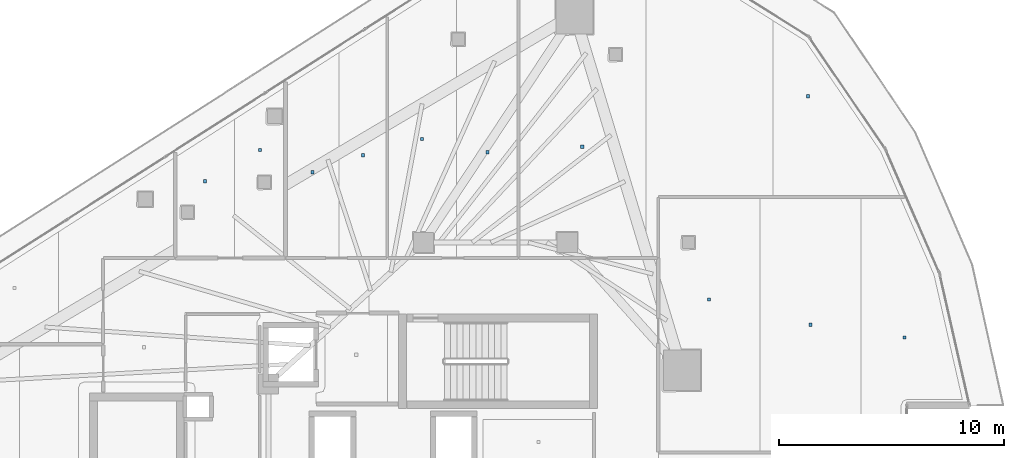
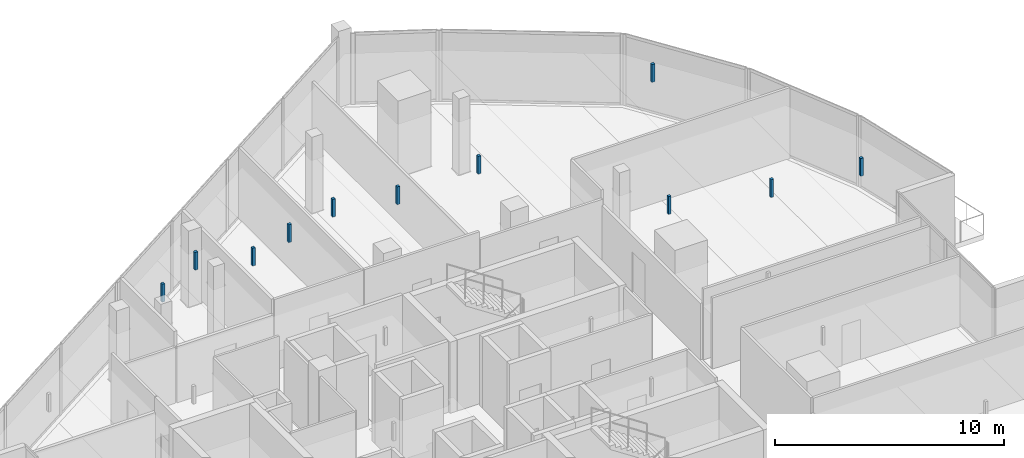
# One storey, part 30 of 36: 11 discrete accessories.
"""IFC4 building model written with IfcOpenShell, lengths in metres."""

import ifcopenshell
import ifcopenshell.guid

model = None  # the IFC model being written
_history = None  # IfcOwnerHistory: only IFC2X3 demands one
_inside = {}  # id of a spatial element -> (the spatial element, [elements in it])
_under = {}  # id of a project, library or spatial element -> (it, [spatial elements below it])
_declared = {}  # id of a project -> (the project, [libraries it declares])
_typed = {}  # id of a type object -> (the type object, [elements of that type])
_made_of = {}  # id of a material, layer set ... -> (it, [elements and type objects made of it])


def new_model(schema):
    """Start an empty IFC model of exactly this schema.

    Asked for "IFC4X3", IfcOpenShell would pick the latest addendum, in which some entities
    have other attributes; the version numbers below select the first issue.
    IFC2X3 requires an IfcOwnerHistory on every rooted entity: one is made here for all.
    """
    global model, _history
    if schema == "IFC4X3":
        model = ifcopenshell.file(schema_version=(4, 3, 0, 0))
    else:
        model = ifcopenshell.file(schema=schema)
    _inside.clear()
    _under.clear()
    _declared.clear()
    _typed.clear()
    _made_of.clear()
    _history = None
    if model.schema == "IFC2X3":
        org = make("IfcOrganization", Name="unknown")
        user = make(
            "IfcPersonAndOrganization",
            ThePerson=make("IfcPerson", FamilyName="unknown"),
            TheOrganization=org,
        )
        app = make(
            "IfcApplication",
            ApplicationDeveloper=org,
            Version="unknown",
            ApplicationFullName="unknown",
            ApplicationIdentifier="unknown",
        )
        _history = make(
            "IfcOwnerHistory",
            OwningUser=user,
            OwningApplication=app,
            ChangeAction="ADDED",
            CreationDate=0,
        )
    return model


def make(cls, **values):
    """One entity of the class cls with the attributes given. An attribute that is None is left unset."""
    return model.create_entity(
        cls, **{name: value for name, value in values.items() if value is not None}
    )


def rooted(cls, **values):
    """An entity with a GlobalId (a new one), such as an element, a storey or a relation."""
    return make(cls, GlobalId=ifcopenshell.guid.new(), OwnerHistory=_history, **values)


def si_unit(unit_type, name, prefix=None):
    """IfcSIUnit, for example si_unit("LENGTHUNIT", "METRE", prefix="MILLI")."""
    return make("IfcSIUnit", UnitType=unit_type, Prefix=prefix, Name=name)


def assignment(units):
    """IfcUnitAssignment: the units of a project."""
    return None if units is None else make("IfcUnitAssignment", Units=units)


def point(xyz):
    """IfcCartesianPoint."""
    return None if xyz is None else make("IfcCartesianPoint", Coordinates=xyz)


def direction(xyz):
    """IfcDirection."""
    return None if xyz is None else make("IfcDirection", DirectionRatios=xyz)


def frame(location, z_axis=None, x_axis=None):
    """IfcAxis2Placement3D, a coordinate frame: its origin and axes. An axis left out is left unset."""
    return make(
        "IfcAxis2Placement3D",
        Location=point(location),
        Axis=direction(z_axis),
        RefDirection=direction(x_axis),
    )


def frame_2d(location, x_axis=None):
    """IfcAxis2Placement2D, a coordinate frame in the plane: its origin and x axis."""
    return make(
        "IfcAxis2Placement2D", Location=point(location), RefDirection=direction(x_axis)
    )


def origin():
    """The frame at (0, 0, 0) with its axes left unset."""
    return frame((0.0, 0.0, 0.0))


def origin_2d():
    """The frame at (0, 0) in the plane with its x axis left unset."""
    return frame_2d((0.0, 0.0))


def place(relative_to, where):
    """IfcLocalPlacement: puts the frame where relative to a parent placement (None: the world)."""
    return make(
        "IfcLocalPlacement", PlacementRelTo=relative_to, RelativePlacement=where
    )


def context(
    kind, dimensions, precision=None, world=None, true_north=None, identifier=None
):
    """IfcGeometricRepresentationContext, for example the 3D "Model" context."""
    return make(
        "IfcGeometricRepresentationContext",
        ContextIdentifier=identifier,
        ContextType=kind,
        CoordinateSpaceDimension=dimensions,
        Precision=precision,
        WorldCoordinateSystem=world,
        TrueNorth=true_north,
    )


def subcontext(parent, identifier, kind, view, scale=None):
    """IfcGeometricRepresentationSubContext, for example "Body" below "Model"."""
    return make(
        "IfcGeometricRepresentationSubContext",
        ContextIdentifier=identifier,
        ContextType=kind,
        ParentContext=parent,
        TargetScale=scale,
        TargetView=view,
    )


def project(units=None, contexts=None):
    """IfcProject with its units and contexts."""
    return rooted(
        "IfcProject",
        Name="project",
        RepresentationContexts=contexts,
        UnitsInContext=assignment(units),
    )


def spatial(cls, under=None, at=None, **own):
    """A site, building, storey or space (cls), placed at a placement, below another one or the project."""
    s = rooted(cls, ObjectPlacement=at, **own)
    if under is not None:
        _under.setdefault(under.id(), (under, []))[1].append(s)
    return s


def profile(cls, at=None, kind="AREA", **sizes):
    """A parametric profile (cls). Its sizes go by their IFC names, for example OverallWidth=200.0."""
    return make(cls, ProfileType=kind, Position=at, **sizes)


def rectangle(**sizes):
    """IfcRectangleProfileDef."""
    return profile("IfcRectangleProfileDef", **sizes)


def extrude(swept, where, along, depth):
    """IfcExtrudedAreaSolid: the profile swept, set in the frame where, extruded along a direction by depth."""
    return make(
        "IfcExtrudedAreaSolid",
        SweptArea=swept,
        Position=where,
        ExtrudedDirection=direction(along),
        Depth=depth,
    )


def shape(context_of_items, identifier, shape_type, items):
    """IfcShapeRepresentation: the items that make up one representation, for example the "Body"."""
    return make(
        "IfcShapeRepresentation",
        ContextOfItems=context_of_items,
        RepresentationIdentifier=identifier,
        RepresentationType=shape_type,
        Items=items,
    )


def material(Name=None, Category=None):
    """IfcMaterial."""
    return make("IfcMaterial", Name=Name, Category=Category)


def made_of(thing, what):
    """Note that an element or type object is made of a material, layer set ...; save() writes the relation."""
    if what is not None:
        _made_of.setdefault(what.id(), (what, []))[1].append(thing)
    return thing


def type_object(cls, material=None, **own):
    """A type object (cls), such as IfcWallType, which elements share."""
    return made_of(rooted(cls, **own), material)


def element(
    cls,
    number,
    at=None,
    inside=None,
    cuts=None,
    type_object=None,
    material=None,
    context=None,
    identifier="Body",
    shape_type=None,
    held_by="IfcProductDefinitionShape",
    body=None,
    shapes=None,
    **own,
):
    """One element of the class cls, such as IfcWall. Its Tag is "e" and its number.

    at: its placement. inside: the storey or other place that contains it. cuts: it is an
    opening in that element (IfcRelVoidsElement). A single representation is given by context,
    identifier, shape_type and body (its items); several are given by shapes. held_by: the class
    of the entity that holds the representations. save() writes the other relations.
    """
    e = rooted(cls, Tag="e%d" % number, ObjectPlacement=at, **own)
    if body is not None:
        shapes = [shape(context, identifier, shape_type, body)]
    if shapes is not None:
        e.Representation = make(held_by, Representations=shapes)
    if inside is not None:
        _inside.setdefault(inside.id(), (inside, []))[1].append(e)
    if cuts is not None:
        rooted(
            "IfcRelVoidsElement", RelatingBuildingElement=cuts, RelatedOpeningElement=e
        )
    if type_object is not None:
        _typed.setdefault(type_object.id(), (type_object, []))[1].append(e)
    return made_of(e, material)


def aggregate(whole, parts):
    """IfcRelAggregates: a whole, such as a stair, and the parts it consists of."""
    return rooted("IfcRelAggregates", RelatingObject=whole, RelatedObjects=parts)


def save(model, path):
    """Write the relations noted so far, then the file.

    IfcRelAggregates (storeys below a building ...), IfcRelContainedInSpatialStructure (elements
    in a storey), IfcRelDefinesByType, IfcRelAssociatesMaterial and IfcRelDeclares: one each for
    every whole, place, type object, material and project.
    """
    for whole, parts in _under.values():
        aggregate(whole, parts)
    for where, things in _inside.values():
        rooted(
            "IfcRelContainedInSpatialStructure",
            RelatedElements=things,
            RelatingStructure=where,
        )
    for kind, things in _typed.values():
        rooted("IfcRelDefinesByType", RelatedObjects=things, RelatingType=kind)
    for what, things in _made_of.values():
        rooted("IfcRelAssociatesMaterial", RelatedObjects=things, RelatingMaterial=what)
    for by, libraries in _declared.values():
        rooted("IfcRelDeclares", RelatingContext=by, RelatedDefinitions=libraries)
    model.write(path)


model = new_model("IFC4")

# Units and contexts
model_context = context("Model", 3, precision=1e-05, world=origin(), true_north=direction((0.0, 1.0)))
body_context = subcontext(model_context, "Body", "Model", "MODEL_VIEW")
ifc_project = project(units=[si_unit("LENGTHUNIT", "METRE"), si_unit("AREAUNIT", "SQUARE_METRE"), si_unit("VOLUMEUNIT", "CUBIC_METRE"), si_unit("PLANEANGLEUNIT", "RADIAN"), si_unit("MASSUNIT", "GRAM", prefix="KILO")], contexts=[model_context])

# Site, building, storey
site_placement = place(None, origin())
site = spatial("IfcSite", under=ifc_project, at=site_placement, CompositionType="ELEMENT")
building_placement = place(site_placement, origin())
building = spatial("IfcBuilding", under=site, at=building_placement, Name="Qorvath Tower", CompositionType="ELEMENT")
storey_placement = place(building_placement, frame((0.0, 0.0, 229.35009765625)))
storey = spatial("IfcBuildingStorey", under=building, at=storey_placement, Name="L53", CompositionType="ELEMENT", Elevation=229.35009765625)

# Discrete accessories
ifc_material = material(Name="Galvanised steel bracket", Category="steel")
discrete_accessory_type = type_object("IfcDiscreteAccessoryType", Name="DA-BRACKET", PredefinedType="BRACKET", material=ifc_material)
for number, where, z_axis, x_axis, name in (
    (1, (-33.324951171875, 14.17626953125, 2.85986328125), (0.0, 0.0, 1.0), (1.0, 0.0, 0.0), "Acoustic Ceiling Suspension Hanger T1-L53-010"),
    (2, (-30.87451171875, 15.55810546875, 2.85986328125), (0.0, 0.0, 1.0), (1.0, 0.0, 0.0), "Acoustic Ceiling Suspension Hanger T1-L53-011"),
    (3, (-28.5390625, 14.574951171875, 2.85986328125), (0.0, 0.0, 1.0), (1.0, 0.0, 0.0), "Acoustic Ceiling Suspension Hanger T1-L53-012"),
    (4, (-26.28515625, 15.333251953125, 2.85986328125), (0.0, 0.0, 1.0), (1.0, 0.0, 0.0), "Acoustic Ceiling Suspension Hanger T1-L53-013"),
    (5, (-23.662109375, 16.05126953125, 2.85986328125), (0.0, 0.0, 1.0), (1.0, 0.0, 0.0), "Acoustic Ceiling Suspension Hanger T1-L53-014"),
    (6, (-20.751708984375, 15.46435546875, 2.85986328125), (0.0, 0.0, 1.0), (1.0, 0.0, 0.0), "Acoustic Ceiling Suspension Hanger T1-L53-015"),
    (7, (-16.530517578125, 15.712646484375, 2.85986328125), (0.0, 0.0, 1.0), (1.0, 0.0, 0.0), "Acoustic Ceiling Suspension Hanger T1-L53-016"),
    (8, (-6.47998046875, 17.958251953125, 2.85986328125), (0.0, 0.0, 1.0), (1.0, 0.0, 0.0), "Acoustic Ceiling Suspension Hanger T1-L53-018"),
    (9, (-10.882080078125, 8.90771484375, 2.85986328125), (0.0, 0.0, 1.0), (1.0, 0.0, 0.0), "Acoustic Ceiling Suspension Hanger T1-L53-034"),
    (10, (-6.371826171875, 7.78515625, 2.85986328125), (0.0, 0.0, 1.0), (1.0, 0.0, 0.0), "Acoustic Ceiling Suspension Hanger T1-L53-035"),
    (11, (-2.177490234375, 7.224609375, 2.85986328125), (0.0, 0.0, 1.0), (1.0, 0.0, 0.0), "Acoustic Ceiling Suspension Hanger T1-L53-036"),
):
    element("IfcDiscreteAccessory", number, at=place(storey_placement, frame(where, z_axis=z_axis, x_axis=x_axis)), inside=storey, type_object=discrete_accessory_type, Name=name, PredefinedType="NOTDEFINED", context=body_context, shape_type="SweptSolid", body=[
        extrude(rectangle(XDim=0.139892578125, YDim=0.139892578125, at=origin_2d()), origin(), (0.0, 0.0, 1.0), 0.949951171875),
    ])

save(model, "model.ifc")
